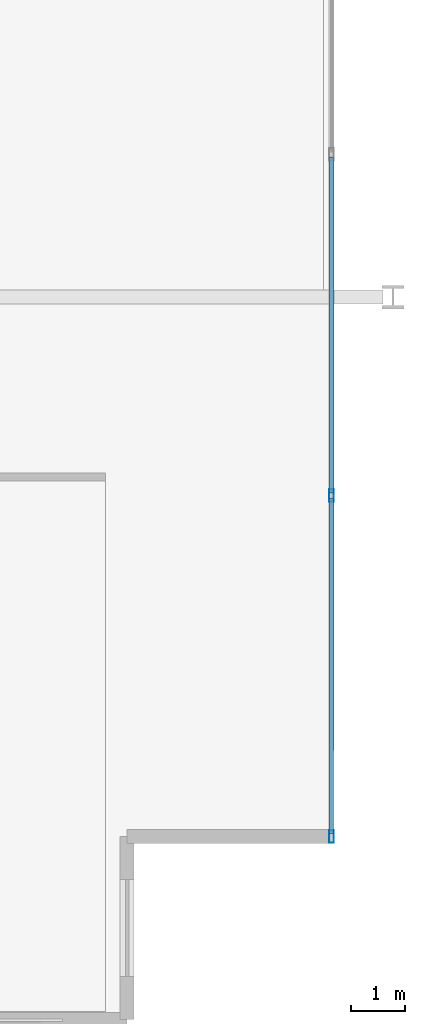
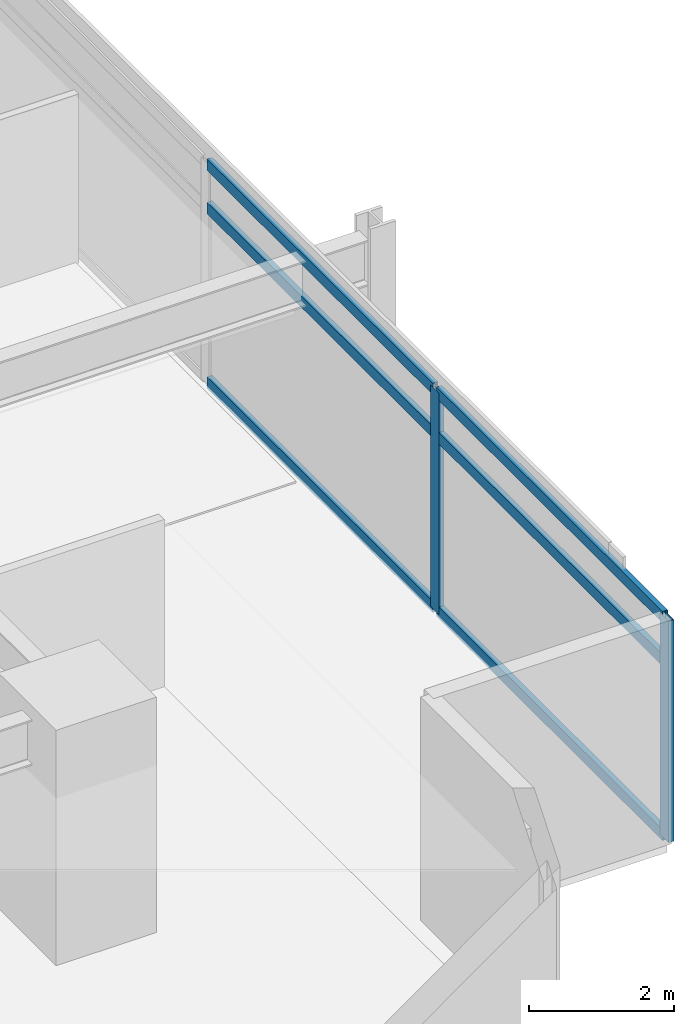
# One storey, part 2 of 23: 8 members, 1 element without a shape of its own.
"""IFC4 building model written with IfcOpenShell, lengths in metres."""

from ifc_helpers import new_model, si_unit, direction, frame, origin, origin_2d, place, context, subcontext, project, spatial, hollow_rectangle, extrude, material, material_profile, profile_set, type_object, element, aggregate, save


model = new_model("IFC4")

# Units and contexts
model_context = context("Model", 3, precision=1e-05, world=origin(), true_north=direction((0.0, 1.0)))
body_context = subcontext(model_context, "Body", "Model", "MODEL_VIEW")
ifc_project = project(units=[si_unit("LENGTHUNIT", "METRE"), si_unit("AREAUNIT", "SQUARE_METRE"), si_unit("VOLUMEUNIT", "CUBIC_METRE"), si_unit("PLANEANGLEUNIT", "RADIAN"), si_unit("MASSUNIT", "GRAM", prefix="KILO")], contexts=[model_context])

# Site, building, storey
site_placement = place(None, origin())
site = spatial("IfcSite", under=ifc_project, at=site_placement, CompositionType="ELEMENT")
building_placement = place(site_placement, origin())
building = spatial("IfcBuilding", under=site, at=building_placement, Name="Kovane Verandah Tower", CompositionType="ELEMENT")
storey_placement = place(building_placement, frame((0.0, 0.0, 140.39990234375)))
storey = spatial("IfcBuildingStorey", under=building, at=storey_placement, Name="L32", CompositionType="ELEMENT", Elevation=140.39990234375)

# Curtain wall, members
ifc_material_1 = material(Name="Champagne Anodised Aluminium Frame with Low-E Clear Laminated Glass", Category="aluminium")
curtain_wall_type = type_object("IfcCurtainWallType", Name="CW-SYS-03-MID", PredefinedType="NOTDEFINED", material=ifc_material_1)
curtain_wall_placement = place(storey_placement, origin())
curtain_wall = element("IfcCurtainWall", 1, at=curtain_wall_placement, inside=storey, type_object=curtain_wall_type, Name="L32 E Unitised Curtain Wall", PredefinedType="NOTDEFINED")
ifc_material_2 = material(Name="Champagne Anodised Aluminium 6063-T6", Category="aluminium")
ifc_material_profile_1 = material_profile(ifc_material_2, hollow_rectangle(XDim=0.0849609375, YDim=0.22998046875, WallThickness=0.00390625, at=origin_2d()), Name="AL85x230x4")
ifc_profile_set_1 = profile_set([ifc_material_profile_1], Name="Champagne Anodised Aluminium 6063-T6")
member_type_1 = type_object("IfcMemberType", Name="CW-MUL-85x230", PredefinedType="MULLION", material=ifc_profile_set_1)
member_1_placement = place(storey_placement, frame((66.4560546875, 8.459228515625, 0.02001953125), z_axis=(0.0, 0.0, 1.0), x_axis=(1.0, 0.0, 0.0)))
member_1 = element("IfcMember", 2, at=member_1_placement, type_object=member_type_1, Name="L32 E Unitised Curtain Wall Mullion 1", PredefinedType="MULLION", context=body_context, shape_type="SweptSolid", body=[
    extrude(hollow_rectangle(XDim=0.0849609375, YDim=0.22998046875, WallThickness=0.00390625, at=origin_2d()), origin(), (0.0, 0.0, 1.0), 3.735107421875),
])
member_2_placement = place(storey_placement, frame((66.4560546875, 14.80615234375, 0.02001953125), z_axis=(0.0, 0.0, 1.0), x_axis=(1.0, 0.0, 0.0)))
member_2 = element("IfcMember", 3, at=member_2_placement, type_object=member_type_1, Name="L32 E Unitised Curtain Wall Mullion 2", PredefinedType="MULLION", context=body_context, shape_type="SweptSolid", body=[
    extrude(hollow_rectangle(XDim=0.0849609375, YDim=0.22998046875, WallThickness=0.00390625, at=origin_2d()), origin(), (0.0, 0.0, 1.0), 3.735107421875),
])
ifc_material_profile_2 = material_profile(ifc_material_2, hollow_rectangle(XDim=0.0849609375, YDim=0.18994140625, WallThickness=0.00390625, at=origin_2d()), Name="AL85x190x4")
ifc_profile_set_2 = profile_set([ifc_material_profile_2], Name="Champagne Anodised Aluminium 6063-T6")
member_type_2 = type_object("IfcMemberType", Name="CW-TRN-85x190", PredefinedType="USERDEFINED", material=ifc_profile_set_2)
member_3_placement = place(storey_placement, frame((66.4560546875, 8.50927734375, 0.050048828125), z_axis=(0.0, 1.0, 0.0), x_axis=(-1.0, 0.0, 0.0)))
member_3 = element("IfcMember", 4, at=member_3_placement, type_object=member_type_2, Name="L32 E Unitised Curtain Wall Transom TB Bay 1", ObjectType="TRANSOM", PredefinedType="USERDEFINED", context=body_context, shape_type="SweptSolid", body=[
    extrude(hollow_rectangle(XDim=0.0849609375, YDim=0.18994140625, WallThickness=0.00390625, at=origin_2d()), origin(), (0.0, 0.0, 1.0), 6.246826171875),
])
member_4_placement = place(storey_placement, frame((66.4560546875, 8.50927734375, 2.9951171875), z_axis=(0.0, 1.0, 0.0), x_axis=(-1.0, 0.0, 0.0)))
member_4 = element("IfcMember", 5, at=member_4_placement, type_object=member_type_2, Name="L32 E Unitised Curtain Wall Transom TM Bay 1", ObjectType="TRANSOM", PredefinedType="USERDEFINED", context=body_context, shape_type="SweptSolid", body=[
    extrude(hollow_rectangle(XDim=0.0849609375, YDim=0.18994140625, WallThickness=0.00390625, at=origin_2d()), origin(), (0.0, 0.0, 1.0), 6.246826171875),
])
member_5_placement = place(storey_placement, frame((66.4560546875, 8.50927734375, 3.72509765625), z_axis=(0.0, 1.0, 0.0), x_axis=(-1.0, 0.0, 0.0)))
member_5 = element("IfcMember", 6, at=member_5_placement, type_object=member_type_2, Name="L32 E Unitised Curtain Wall Transom TT Bay 1", ObjectType="TRANSOM", PredefinedType="USERDEFINED", context=body_context, shape_type="SweptSolid", body=[
    extrude(hollow_rectangle(XDim=0.0849609375, YDim=0.18994140625, WallThickness=0.00390625, at=origin_2d()), origin(), (0.0, 0.0, 1.0), 6.246826171875),
])
member_6_placement = place(storey_placement, frame((66.4560546875, 14.856201171875, 0.050048828125), z_axis=(0.0, 1.0, 0.0), x_axis=(-1.0, 0.0, 0.0)))
member_6 = element("IfcMember", 7, at=member_6_placement, type_object=member_type_2, Name="L32 E Unitised Curtain Wall Transom TB Bay 2", ObjectType="TRANSOM", PredefinedType="USERDEFINED", context=body_context, shape_type="SweptSolid", body=[
    extrude(hollow_rectangle(XDim=0.0849609375, YDim=0.18994140625, WallThickness=0.00390625, at=origin_2d()), origin(), (0.0, 0.0, 1.0), 6.246826171875),
])
member_7_placement = place(storey_placement, frame((66.4560546875, 14.856201171875, 2.9951171875), z_axis=(0.0, 1.0, 0.0), x_axis=(-1.0, 0.0, 0.0)))
member_7 = element("IfcMember", 8, at=member_7_placement, type_object=member_type_2, Name="L32 E Unitised Curtain Wall Transom TM Bay 2", ObjectType="TRANSOM", PredefinedType="USERDEFINED", context=body_context, shape_type="SweptSolid", body=[
    extrude(hollow_rectangle(XDim=0.0849609375, YDim=0.18994140625, WallThickness=0.00390625, at=origin_2d()), origin(), (0.0, 0.0, 1.0), 6.246826171875),
])
member_8_placement = place(storey_placement, frame((66.4560546875, 14.856201171875, 3.72509765625), z_axis=(0.0, 1.0, 0.0), x_axis=(-1.0, 0.0, 0.0)))
member_8 = element("IfcMember", 9, at=member_8_placement, type_object=member_type_2, Name="L32 E Unitised Curtain Wall Transom TT Bay 2", ObjectType="TRANSOM", PredefinedType="USERDEFINED", context=body_context, shape_type="SweptSolid", body=[
    extrude(hollow_rectangle(XDim=0.0849609375, YDim=0.18994140625, WallThickness=0.00390625, at=origin_2d()), origin(), (0.0, 0.0, 1.0), 6.246826171875),
])
aggregate(curtain_wall, [member_1, member_2, member_3, member_4, member_5, member_6, member_7, member_8])

save(model, "model.ifc")
